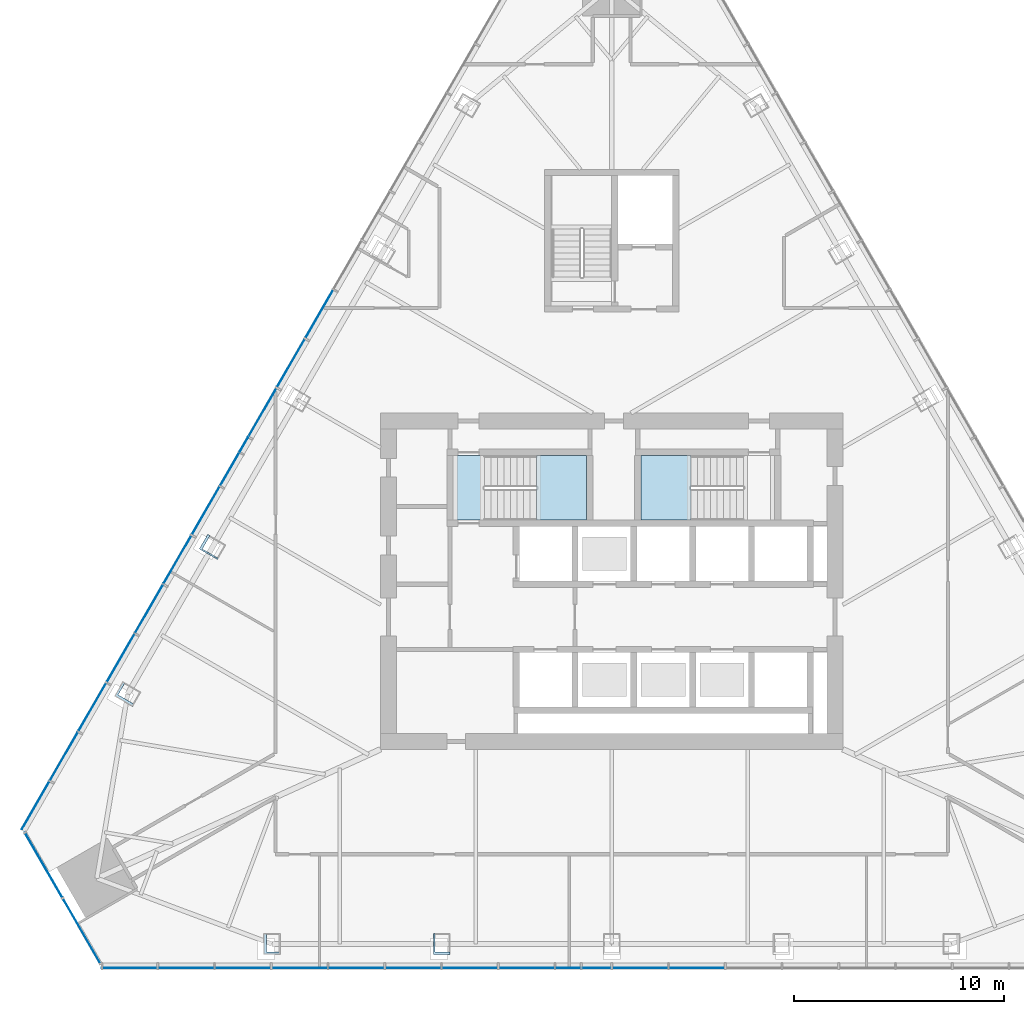
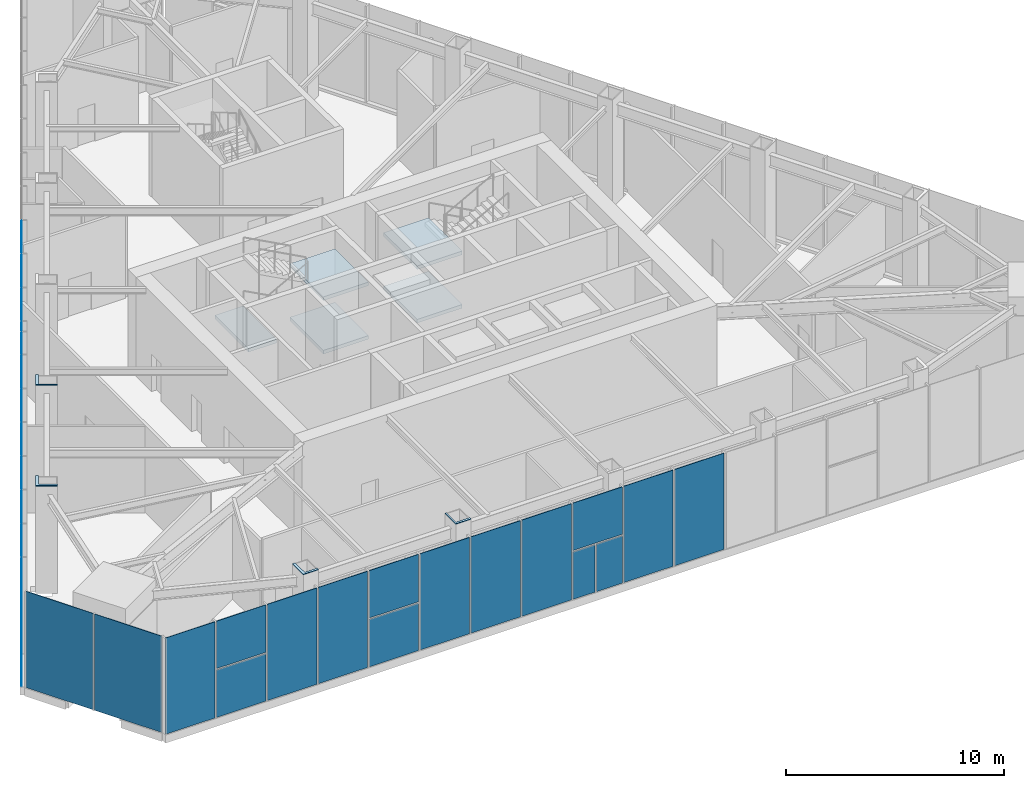
# One storey, part 8 of 16: 36 plates, 5 slabs, 5 elements without a shape of their own.
"""IFC4 building model written with IfcOpenShell, lengths in metres."""

from ifc_helpers import new_model, si_unit, direction, frame, origin, place, context, subcontext, project, spatial, polyline, outline, extrude, material, layer, layer_set, type_object, element, aggregate, save


model = new_model("IFC4")

# Units and contexts
model_context = context("Model", 3, precision=1e-05, world=origin(), true_north=direction((0.0, 1.0)))
body_context = subcontext(model_context, "Body", "Model", "MODEL_VIEW")
ifc_project = project(units=[si_unit("LENGTHUNIT", "METRE"), si_unit("AREAUNIT", "SQUARE_METRE"), si_unit("VOLUMEUNIT", "CUBIC_METRE"), si_unit("PLANEANGLEUNIT", "RADIAN"), si_unit("MASSUNIT", "GRAM", prefix="KILO")], contexts=[model_context])

# Site, building, storey
site_placement = place(None, origin())
site = spatial("IfcSite", under=ifc_project, at=site_placement, CompositionType="ELEMENT")
building_placement = place(site_placement, origin())
building = spatial("IfcBuilding", under=site, at=building_placement, Name="Firuza Gate Tower and Library", CompositionType="ELEMENT")
storey_placement = place(building_placement, frame((0.0, 0.0, 241.60009765625)))
storey = spatial("IfcBuildingStorey", under=building, at=storey_placement, Name="L57", CompositionType="ELEMENT", Elevation=241.60009765625)

# Plates
ifc_material_1 = material(Name="Steel S355", Category="steel")
ifc_layer_1 = layer(ifc_material_1, 0.030029296875)
ifc_layer_set_1 = layer_set([ifc_layer_1], Name="Column infill plate 30 Steel S355")
plate_type_1 = type_object("IfcPlateType", Name="Column infill plate 30 Steel S355", PredefinedType="SHEET", material=ifc_layer_set_1)
placement_1 = place(storey_placement, frame((0.0, 0.0, 6.0)))
element("IfcPlate", 1, at=placement_1, inside=storey, type_object=plate_type_1, Name="Infill plate L57:S1", PredefinedType="SHEET", context=body_context, shape_type="SweptSolid", body=[
    extrude(outline(polyline([(59.22509765625, 57.235107421875), (59.22509765625, 57.35791015625), (58.566650390625, 57.35791015625), (58.566650390625, 58.235107421875), (58.425048828125, 58.235107421875), (58.425048828125, 57.235107421875), (59.22509765625, 57.235107421875)])), origin(), (0.0, 0.0, 1.0), 0.02978515625),
])
element("IfcPlate", 2, at=placement_1, inside=storey, type_object=plate_type_1, Name="Infill plate L57:S2", PredefinedType="SHEET", context=body_context, shape_type="SweptSolid", body=[
    extrude(outline(polyline([(67.3125, 57.235107421875), (67.3125, 57.35791015625), (66.583251953125, 57.35791015625), (66.583251953125, 58.235107421875), (66.512451171875, 58.235107421875), (66.512451171875, 57.235107421875), (67.3125, 57.235107421875)])), origin(), (0.0, 0.0, 1.0), 0.02978515625),
])
element("IfcPlate", 3, at=placement_1, inside=storey, type_object=plate_type_1, Name="Infill plate L57:W4", PredefinedType="SHEET", context=body_context, shape_type="SweptSolid", body=[
    extrude(outline(polyline([(56.237548828125, 76.031982421875), (56.27294921875, 76.09326171875), (55.51318359375, 76.531982421875), (55.877685546875, 77.16357421875), (55.771484375, 77.224853515625), (55.37158203125, 76.531982421875), (56.237548828125, 76.031982421875)])), origin(), (0.0, 0.0, 1.0), 0.02978515625),
])
element("IfcPlate", 4, at=placement_1, inside=storey, type_object=plate_type_1, Name="Infill plate L57:W5", PredefinedType="SHEET", context=body_context, shape_type="SweptSolid", body=[
    extrude(outline(polyline([(52.19384765625, 69.028076171875), (52.2646484375, 69.150634765625), (51.504638671875, 69.58935546875), (51.833984375, 70.15966796875), (51.727783203125, 70.220947265625), (51.32763671875, 69.528076171875), (52.19384765625, 69.028076171875)])), origin(), (0.0, 0.0, 1.0), 0.02978515625),
])

# Curtain wall, plates
ifc_material_2 = material(Name="Aluminium 6063-T6", Category="aluminium")
ifc_layer_2 = layer(ifc_material_2, 0.14990234375)
ifc_layer_set_2 = layer_set([ifc_layer_2], Name="Corner curtain wall, chamfers")
curtain_wall_type_1 = type_object("IfcCurtainWallType", Name="Corner curtain wall, chamfers", PredefinedType="NOTDEFINED", material=ifc_layer_set_2)
placement_2 = place(storey_placement, origin())
curtain_wall_1 = element("IfcCurtainWall", 5, at=placement_2, inside=storey, type_object=curtain_wall_type_1, Name="CW4 L57 SW corner", PredefinedType="NOTDEFINED")
ifc_material_3 = material(Name="Fritted glass", Category="glass")
ifc_layer_3 = layer(ifc_material_3, 0.030029296875)
ifc_layer_set_3 = layer_set([ifc_layer_3], Name="Fritted glass unit, corners")
plate_type_2 = type_object("IfcPlateType", Name="Fritted glass unit, corners", PredefinedType="CURTAIN_PANEL", material=ifc_layer_set_3)
plate_5_placement = place(storey_placement, frame((47.05810546875, 63.0283203125, 0.14990234375), z_axis=(-0.866046390552, -0.49996364809, 0.0), x_axis=(0.49996364809, -0.866046390552, 0.0)))
plate_5 = element("IfcPlate", 6, at=plate_5_placement, type_object=plate_type_2, Name="Glass unit", PredefinedType="CURTAIN_PANEL", context=body_context, shape_type="SweptSolid", body=[
    extrude(outline(polyline([(0.0, 0.0), (3.563247342942594, 0.0), (3.563247342942594, 5.39990234375), (0.0, 5.39990234375), (0.0, 0.0)])), origin(), (0.0, 0.0, -1.0), 0.030029296875),
])
plate_6_placement = place(storey_placement, frame((48.879638671875, 59.873291015625, 0.14990234375), z_axis=(-0.866016723041, -0.500015035186, 0.0), x_axis=(0.500015035186, -0.866016723041, 0.0)))
plate_6 = element("IfcPlate", 7, at=plate_6_placement, type_object=plate_type_2, Name="Glass unit", PredefinedType="CURTAIN_PANEL", context=body_context, shape_type="SweptSolid", body=[
    extrude(outline(polyline([(0.0, 0.0), (3.5633694106530625, 0.0), (3.5633694106530625, 5.39990234375), (0.0, 5.39990234375), (0.0, 0.0)])), origin(), (0.0, 0.0, -1.0), 0.030029296875),
])
aggregate(curtain_wall_1, [plate_5, plate_6])

ifc_material_4 = material(Name="Aluminium 6063-T6", Category="aluminium")
ifc_layer_4 = layer(ifc_material_4, 0.14990234375)
ifc_layer_set_4 = layer_set([ifc_layer_4], Name="Unitised curtain wall, hotel")
curtain_wall_type_2 = type_object("IfcCurtainWallType", Name="Unitised curtain wall, hotel", PredefinedType="NOTDEFINED", material=ifc_layer_set_4)
curtain_wall_2 = element("IfcCurtainWall", 8, at=placement_2, inside=storey, type_object=curtain_wall_type_2, Name="CW2 L57 S face", PredefinedType="NOTDEFINED")
ifc_material_5 = material(Name="Fritted glass", Category="glass")
ifc_layer_5 = layer(ifc_material_5, 0.030029296875)
ifc_layer_set_5 = layer_set([ifc_layer_5], Name="Fritted glass unit, hotel")
plate_type_3 = type_object("IfcPlateType", Name="Fritted glass unit, hotel", PredefinedType="CURTAIN_PANEL", material=ifc_layer_set_5)
plate_7_placement = place(storey_placement, frame((53.434814453125, 56.5751953125, 2.889892578125), z_axis=(0.0, -1.0, 0.0), x_axis=(1.0, 0.0, 0.0)))
plate_7 = element("IfcPlate", 9, at=plate_7_placement, type_object=plate_type_3, Name="Glass unit", PredefinedType="CURTAIN_PANEL", context=body_context, shape_type="SweptSolid", body=[
    extrude(outline(polyline([(0.0, 0.0), (2.620849609375, 0.0), (2.620849609375, 2.659912109375), (0.0, 2.659912109375), (0.0, 0.0)])), origin(), (0.0, 0.0, -1.0), 0.030029296875),
])
plate_8_placement = place(storey_placement, frame((61.536865234375, 56.5751953125, 2.889892578125), z_axis=(0.0, -1.0, 0.0), x_axis=(1.0, 0.0, 0.0)))
plate_8 = element("IfcPlate", 10, at=plate_8_placement, type_object=plate_type_3, Name="Glass unit", PredefinedType="CURTAIN_PANEL", context=body_context, shape_type="SweptSolid", body=[
    extrude(outline(polyline([(0.0, 0.0), (2.62060546875, 0.0), (2.62060546875, 2.659912109375), (0.0, 2.659912109375), (0.0, 0.0)])), origin(), (0.0, 0.0, -1.0), 0.030029296875),
])
plate_9_placement = place(storey_placement, frame((73.591064453125, 56.5751953125, 0.14990234375), z_axis=(0.0, -1.0, 0.0), x_axis=(1.0, 0.0, 0.0)))
plate_9 = element("IfcPlate", 11, at=plate_9_placement, type_object=plate_type_3, Name="Glass unit", PredefinedType="CURTAIN_PANEL", context=body_context, shape_type="SweptSolid", body=[
    extrude(outline(polyline([(0.0, 0.0), (1.368896484375, 0.0), (1.368896484375, 2.659912109375), (0.0, 2.659912109375), (0.0, 0.0)])), origin(), (0.0, 0.0, -1.0), 0.030029296875),
])

curtain_wall_3 = element("IfcCurtainWall", 12, at=placement_2, inside=storey, type_object=curtain_wall_type_2, Name="CW2 L57 W face", PredefinedType="NOTDEFINED")
plate_10_placement = place(storey_placement, frame((57.251708984375, 81.10888671875, 2.889892578125), z_axis=(-0.866071239721, 0.499920601425, 0.0), x_axis=(-0.499920601425, -0.866071239721, 0.0)))
plate_10 = element("IfcPlate", 13, at=plate_10_placement, type_object=plate_type_3, Name="Glass unit", PredefinedType="CURTAIN_PANEL", context=body_context, shape_type="SweptSolid", body=[
    extrude(outline(polyline([(0.0, 0.0), (1.777626031949212, 0.0), (1.777626031949212, 2.659912109375), (0.0, 2.659912109375), (0.0, 0.0)])), origin(), (0.0, 0.0, -1.0), 0.030029296875),
])
plate_11_placement = place(storey_placement, frame((53.622314453125, 74.822509765625, 2.889892578125), z_axis=(-0.866027344229, 0.499996639036, 0.0), x_axis=(-0.499996639036, -0.866027344229, 0.0)))
plate_11 = element("IfcPlate", 14, at=plate_11_placement, type_object=plate_type_3, Name="Glass unit", PredefinedType="CURTAIN_PANEL", context=body_context, shape_type="SweptSolid", body=[
    extrude(outline(polyline([(0.0, 0.0), (2.6206230843898872, 0.0), (2.6206230843898872, 2.659912109375), (0.0, 2.659912109375), (0.0, 0.0)])), origin(), (0.0, 0.0, -1.0), 0.030029296875),
])
plate_12_placement = place(storey_placement, frame((49.5712890625, 67.80615234375, 2.889892578125), z_axis=(-0.866027344229, 0.499996639036, 0.0), x_axis=(-0.499996639036, -0.866027344229, 0.0)))
plate_12 = element("IfcPlate", 15, at=plate_12_placement, type_object=plate_type_3, Name="Glass unit", PredefinedType="CURTAIN_PANEL", context=body_context, shape_type="SweptSolid", body=[
    extrude(outline(polyline([(0.0, 0.0), (2.6206230843898872, 0.0), (2.6206230843898872, 2.659912109375), (0.0, 2.659912109375), (0.0, 0.0)])), origin(), (0.0, 0.0, -1.0), 0.030029296875),
])

# Plate
ifc_material_6 = material(Name="Glazed ceramic tile")
ifc_layer_6 = layer(ifc_material_6, 0.030029296875)
ifc_layer_set_6 = layer_set([ifc_layer_6], Name="Opaque ceramic panel, hotel")
plate_type_4 = type_object("IfcPlateType", Name="Opaque ceramic panel, hotel", PredefinedType="CURTAIN_PANEL", material=ifc_layer_set_6)
plate_13_placement = place(storey_placement, frame((50.734375, 56.5751953125, 0.14990234375), z_axis=(0.0, -1.0, 0.0), x_axis=(1.0, 0.0, 0.0)))
plate_13 = element("IfcPlate", 16, at=plate_13_placement, type_object=plate_type_4, Name="Opaque ceramic panel", PredefinedType="CURTAIN_PANEL", context=body_context, shape_type="SweptSolid", body=[
    extrude(outline(polyline([(0.0, 0.0), (2.62060546875, 0.0), (2.62060546875, 5.39990234375), (0.0, 5.39990234375), (0.0, 0.0)])), origin(), (0.0, 0.0, -1.0), 0.030029296875),
])

plate_14_placement = place(storey_placement, frame((53.434814453125, 56.5751953125, 0.14990234375), z_axis=(0.0, -1.0, 0.0), x_axis=(1.0, 0.0, 0.0)))
plate_14 = element("IfcPlate", 17, at=plate_14_placement, type_object=plate_type_4, Name="Opaque ceramic panel", PredefinedType="CURTAIN_PANEL", context=body_context, shape_type="SweptSolid", body=[
    extrude(outline(polyline([(0.0, 0.0), (2.620849609375, 0.0), (2.620849609375, 2.659912109375), (0.0, 2.659912109375), (0.0, 0.0)])), origin(), (0.0, 0.0, -1.0), 0.030029296875),
])

plate_15_placement = place(storey_placement, frame((56.135498046875, 56.5751953125, 0.14990234375), z_axis=(0.0, -1.0, 0.0), x_axis=(1.0, 0.0, 0.0)))
plate_15 = element("IfcPlate", 18, at=plate_15_placement, type_object=plate_type_4, Name="Opaque ceramic panel", PredefinedType="CURTAIN_PANEL", context=body_context, shape_type="SweptSolid", body=[
    extrude(outline(polyline([(0.0, 0.0), (2.62060546875, 0.0), (2.62060546875, 5.39990234375), (0.0, 5.39990234375), (0.0, 0.0)])), origin(), (0.0, 0.0, -1.0), 0.030029296875),
])

plate_16_placement = place(storey_placement, frame((58.836181640625, 56.5751953125, 0.14990234375), z_axis=(0.0, -1.0, 0.0), x_axis=(1.0, 0.0, 0.0)))
plate_16 = element("IfcPlate", 19, at=plate_16_placement, type_object=plate_type_4, Name="Opaque ceramic panel", PredefinedType="CURTAIN_PANEL", context=body_context, shape_type="SweptSolid", body=[
    extrude(outline(polyline([(0.0, 0.0), (2.62060546875, 0.0), (2.62060546875, 5.39990234375), (0.0, 5.39990234375), (0.0, 0.0)])), origin(), (0.0, 0.0, -1.0), 0.030029296875),
])

plate_17_placement = place(storey_placement, frame((61.536865234375, 56.5751953125, 0.14990234375), z_axis=(0.0, -1.0, 0.0), x_axis=(1.0, 0.0, 0.0)))
plate_17 = element("IfcPlate", 20, at=plate_17_placement, type_object=plate_type_4, Name="Opaque ceramic panel", PredefinedType="CURTAIN_PANEL", context=body_context, shape_type="SweptSolid", body=[
    extrude(outline(polyline([(0.0, 0.0), (2.62060546875, 0.0), (2.62060546875, 2.659912109375), (0.0, 2.659912109375), (0.0, 0.0)])), origin(), (0.0, 0.0, -1.0), 0.030029296875),
])

plate_18_placement = place(storey_placement, frame((64.237548828125, 56.5751953125, 0.14990234375), z_axis=(0.0, -1.0, 0.0), x_axis=(1.0, 0.0, 0.0)))
plate_18 = element("IfcPlate", 21, at=plate_18_placement, type_object=plate_type_4, Name="Opaque ceramic panel", PredefinedType="CURTAIN_PANEL", context=body_context, shape_type="SweptSolid", body=[
    extrude(outline(polyline([(0.0, 0.0), (2.62060546875, 0.0), (2.62060546875, 5.39990234375), (0.0, 5.39990234375), (0.0, 0.0)])), origin(), (0.0, 0.0, -1.0), 0.030029296875),
])

plate_19_placement = place(storey_placement, frame((66.93798828125, 56.5751953125, 0.14990234375), z_axis=(0.0, -1.0, 0.0), x_axis=(1.0, 0.0, 0.0)))
plate_19 = element("IfcPlate", 22, at=plate_19_placement, type_object=plate_type_4, Name="Opaque ceramic panel", PredefinedType="CURTAIN_PANEL", context=body_context, shape_type="SweptSolid", body=[
    extrude(outline(polyline([(0.0, 0.0), (2.620849609375, 0.0), (2.620849609375, 5.39990234375), (0.0, 5.39990234375), (0.0, 0.0)])), origin(), (0.0, 0.0, -1.0), 0.030029296875),
])

plate_20_placement = place(storey_placement, frame((69.638671875, 56.5751953125, 0.14990234375), z_axis=(0.0, -1.0, 0.0), x_axis=(1.0, 0.0, 0.0)))
plate_20 = element("IfcPlate", 23, at=plate_20_placement, type_object=plate_type_4, Name="Opaque ceramic panel", PredefinedType="CURTAIN_PANEL", context=body_context, shape_type="SweptSolid", body=[
    extrude(outline(polyline([(0.0, 0.0), (2.62060546875, 0.0), (2.62060546875, 5.39990234375), (0.0, 5.39990234375), (0.0, 0.0)])), origin(), (0.0, 0.0, -1.0), 0.030029296875),
])

plate_21_placement = place(storey_placement, frame((72.33935546875, 56.5751953125, 0.14990234375), z_axis=(0.0, -1.0, 0.0), x_axis=(1.0, 0.0, 0.0)))
plate_21 = element("IfcPlate", 24, at=plate_21_placement, type_object=plate_type_4, Name="Opaque ceramic panel", PredefinedType="CURTAIN_PANEL", context=body_context, shape_type="SweptSolid", body=[
    extrude(outline(polyline([(0.0, 0.0), (1.171630859375, 0.0), (1.171630859375, 2.659912109375), (0.0, 2.659912109375), (0.0, 0.0)])), origin(), (0.0, 0.0, -1.0), 0.030029296875),
])

plate_22_placement = place(storey_placement, frame((72.33935546875, 56.5751953125, 2.889892578125), z_axis=(0.0, -1.0, 0.0), x_axis=(1.0, 0.0, 0.0)))
plate_22 = element("IfcPlate", 25, at=plate_22_placement, type_object=plate_type_4, Name="Opaque ceramic panel", PredefinedType="CURTAIN_PANEL", context=body_context, shape_type="SweptSolid", body=[
    extrude(outline(polyline([(0.0, 0.0), (2.62060546875, 0.0), (2.62060546875, 2.659912109375), (0.0, 2.659912109375), (0.0, 0.0)])), origin(), (0.0, 0.0, -1.0), 0.030029296875),
])

plate_23_placement = place(storey_placement, frame((75.0400390625, 56.5751953125, 0.14990234375), z_axis=(0.0, -1.0, 0.0), x_axis=(1.0, 0.0, 0.0)))
plate_23 = element("IfcPlate", 26, at=plate_23_placement, type_object=plate_type_4, Name="Opaque ceramic panel", PredefinedType="CURTAIN_PANEL", context=body_context, shape_type="SweptSolid", body=[
    extrude(outline(polyline([(0.0, 0.0), (2.62060546875, 0.0), (2.62060546875, 5.39990234375), (0.0, 5.39990234375), (0.0, 0.0)])), origin(), (0.0, 0.0, -1.0), 0.030029296875),
])

plate_24_placement = place(storey_placement, frame((77.74072265625, 56.5751953125, 0.14990234375), z_axis=(0.0, -1.0, 0.0), x_axis=(1.0, 0.0, 0.0)))
plate_24 = element("IfcPlate", 27, at=plate_24_placement, type_object=plate_type_4, Name="Opaque ceramic panel", PredefinedType="CURTAIN_PANEL", context=body_context, shape_type="SweptSolid", body=[
    extrude(outline(polyline([(0.0, 0.0), (2.62060546875, 0.0), (2.62060546875, 5.39990234375), (0.0, 5.39990234375), (0.0, 0.0)])), origin(), (0.0, 0.0, -1.0), 0.030029296875),
])

aggregate(curtain_wall_2, [plate_13, plate_14, plate_7, plate_15, plate_16, plate_17, plate_8, plate_18, plate_19, plate_20, plate_21, plate_9, plate_22, plate_23, plate_24])

plate_25_placement = place(storey_placement, frame((61.724365234375, 88.85546875, 0.14990234375), z_axis=(-0.866027344229, 0.499996639036, 0.0), x_axis=(-0.499996639036, -0.866027344229, 0.0)))
plate_25 = element("IfcPlate", 28, at=plate_25_placement, type_object=plate_type_4, Name="Opaque ceramic panel", PredefinedType="CURTAIN_PANEL", context=body_context, shape_type="SweptSolid", body=[
    extrude(outline(polyline([(0.0, 0.0), (2.6206230843898872, 0.0), (2.6206230843898872, 5.39990234375), (0.0, 5.39990234375), (0.0, 0.0)])), origin(), (0.0, 0.0, -1.0), 0.030029296875),
])

plate_26_placement = place(storey_placement, frame((60.3740234375, 86.5166015625, 0.14990234375), z_axis=(-0.866027344229, 0.499996639036, 0.0), x_axis=(-0.499996639036, -0.866027344229, 0.0)))
plate_26 = element("IfcPlate", 29, at=plate_26_placement, type_object=plate_type_4, Name="Opaque ceramic panel", PredefinedType="CURTAIN_PANEL", context=body_context, shape_type="SweptSolid", body=[
    extrude(outline(polyline([(0.0, 0.0), (2.6206230843898872, 0.0), (2.6206230843898872, 5.39990234375), (0.0, 5.39990234375), (0.0, 0.0)])), origin(), (0.0, 0.0, -1.0), 0.030029296875),
])

plate_27_placement = place(storey_placement, frame((59.023681640625, 84.177734375, 0.14990234375), z_axis=(-0.866027344229, 0.499996639036, 0.0), x_axis=(-0.499996639036, -0.866027344229, 0.0)))
plate_27 = element("IfcPlate", 30, at=plate_27_placement, type_object=plate_type_4, Name="Opaque ceramic panel", PredefinedType="CURTAIN_PANEL", context=body_context, shape_type="SweptSolid", body=[
    extrude(outline(polyline([(0.0, 0.0), (2.6206230843898872, 0.0), (2.6206230843898872, 5.39990234375), (0.0, 5.39990234375), (0.0, 0.0)])), origin(), (0.0, 0.0, -1.0), 0.030029296875),
])

plate_28_placement = place(storey_placement, frame((57.67333984375, 81.8388671875, 0.14990234375), z_axis=(-0.866027344229, 0.499996639036, 0.0), x_axis=(-0.499996639036, -0.866027344229, 0.0)))
plate_28 = element("IfcPlate", 31, at=plate_28_placement, type_object=plate_type_4, Name="Opaque ceramic panel", PredefinedType="CURTAIN_PANEL", context=body_context, shape_type="SweptSolid", body=[
    extrude(outline(polyline([(0.0, 0.0), (2.6206230843898872, 0.0), (2.6206230843898872, 2.659912109375), (0.0, 2.659912109375), (0.0, 0.0)])), origin(), (0.0, 0.0, -1.0), 0.030029296875),
])

plate_29_placement = place(storey_placement, frame((57.67333984375, 81.8388671875, 2.889892578125), z_axis=(-0.865929753888, 0.500165633897, 0.0), x_axis=(-0.500165633897, -0.865929753888, 0.0)))
plate_29 = element("IfcPlate", 32, at=plate_29_placement, type_object=plate_type_4, Name="Opaque ceramic panel", PredefinedType="CURTAIN_PANEL", context=body_context, shape_type="SweptSolid", body=[
    extrude(outline(polyline([(0.0, 0.0), (0.7629308593265995, 0.0), (0.7629308593265995, 2.659912109375), (0.0, 2.659912109375), (0.0, 0.0)])), origin(), (0.0, 0.0, -1.0), 0.030029296875),
])

plate_30_placement = place(storey_placement, frame((56.322998046875, 79.500244140625, 0.14990234375), z_axis=(-0.866027344229, 0.499996639036, 0.0), x_axis=(-0.499996639036, -0.866027344229, 0.0)))
plate_30 = element("IfcPlate", 33, at=plate_30_placement, type_object=plate_type_4, Name="Opaque ceramic panel", PredefinedType="CURTAIN_PANEL", context=body_context, shape_type="SweptSolid", body=[
    extrude(outline(polyline([(0.0, 0.0), (2.6206230843898872, 0.0), (2.6206230843898872, 5.39990234375), (0.0, 5.39990234375), (0.0, 0.0)])), origin(), (0.0, 0.0, -1.0), 0.030029296875),
])

plate_31_placement = place(storey_placement, frame((54.97265625, 77.161376953125, 0.14990234375), z_axis=(-0.866027344229, 0.499996639036, 0.0), x_axis=(-0.499996639036, -0.866027344229, 0.0)))
plate_31 = element("IfcPlate", 34, at=plate_31_placement, type_object=plate_type_4, Name="Opaque ceramic panel", PredefinedType="CURTAIN_PANEL", context=body_context, shape_type="SweptSolid", body=[
    extrude(outline(polyline([(0.0, 0.0), (2.6206230843898872, 0.0), (2.6206230843898872, 5.39990234375), (0.0, 5.39990234375), (0.0, 0.0)])), origin(), (0.0, 0.0, -1.0), 0.030029296875),
])

plate_32_placement = place(storey_placement, frame((53.622314453125, 74.822509765625, 0.14990234375), z_axis=(-0.866027344229, 0.499996639036, 0.0), x_axis=(-0.499996639036, -0.866027344229, 0.0)))
plate_32 = element("IfcPlate", 35, at=plate_32_placement, type_object=plate_type_4, Name="Opaque ceramic panel", PredefinedType="CURTAIN_PANEL", context=body_context, shape_type="SweptSolid", body=[
    extrude(outline(polyline([(0.0, 0.0), (2.6206230843898872, 0.0), (2.6206230843898872, 2.659912109375), (0.0, 2.659912109375), (0.0, 0.0)])), origin(), (0.0, 0.0, -1.0), 0.030029296875),
])

plate_33_placement = place(storey_placement, frame((52.27197265625, 72.483642578125, 0.14990234375), z_axis=(-0.866027344229, 0.499996639036, 0.0), x_axis=(-0.499996639036, -0.866027344229, 0.0)))
plate_33 = element("IfcPlate", 36, at=plate_33_placement, type_object=plate_type_4, Name="Opaque ceramic panel", PredefinedType="CURTAIN_PANEL", context=body_context, shape_type="SweptSolid", body=[
    extrude(outline(polyline([(0.0, 0.0), (2.6206230843898872, 0.0), (2.6206230843898872, 5.39990234375), (0.0, 5.39990234375), (0.0, 0.0)])), origin(), (0.0, 0.0, -1.0), 0.030029296875),
])

plate_34_placement = place(storey_placement, frame((50.921630859375, 70.144775390625, 0.14990234375), z_axis=(-0.866027344229, 0.499996639036, 0.0), x_axis=(-0.499996639036, -0.866027344229, 0.0)))
plate_34 = element("IfcPlate", 37, at=plate_34_placement, type_object=plate_type_4, Name="Opaque ceramic panel", PredefinedType="CURTAIN_PANEL", context=body_context, shape_type="SweptSolid", body=[
    extrude(outline(polyline([(0.0, 0.0), (2.6206230843898872, 0.0), (2.6206230843898872, 5.39990234375), (0.0, 5.39990234375), (0.0, 0.0)])), origin(), (0.0, 0.0, -1.0), 0.030029296875),
])

plate_35_placement = place(storey_placement, frame((49.5712890625, 67.80615234375, 0.14990234375), z_axis=(-0.866027344229, 0.499996639036, 0.0), x_axis=(-0.499996639036, -0.866027344229, 0.0)))
plate_35 = element("IfcPlate", 38, at=plate_35_placement, type_object=plate_type_4, Name="Opaque ceramic panel", PredefinedType="CURTAIN_PANEL", context=body_context, shape_type="SweptSolid", body=[
    extrude(outline(polyline([(0.0, 0.0), (2.6206230843898872, 0.0), (2.6206230843898872, 2.659912109375), (0.0, 2.659912109375), (0.0, 0.0)])), origin(), (0.0, 0.0, -1.0), 0.030029296875),
])

plate_36_placement = place(storey_placement, frame((48.22119140625, 65.46728515625, 0.14990234375), z_axis=(-0.865987003449, 0.500066505434, 0.0), x_axis=(-0.500066505434, -0.865987003449, 0.0)))
plate_36 = element("IfcPlate", 39, at=plate_36_placement, type_object=plate_type_4, Name="Opaque ceramic panel", PredefinedType="CURTAIN_PANEL", context=body_context, shape_type="SweptSolid", body=[
    extrude(outline(polyline([(0.0, 0.0), (2.620745162410651, 0.0), (2.620745162410651, 5.39990234375), (0.0, 5.39990234375), (0.0, 0.0)])), origin(), (0.0, 0.0, -1.0), 0.030029296875),
])

aggregate(curtain_wall_3, [plate_25, plate_26, plate_27, plate_28, plate_29, plate_10, plate_30, plate_31, plate_32, plate_11, plate_33, plate_34, plate_35, plate_12, plate_36])

# Stair, slabs
ifc_material_7 = material(Name="Concrete C35/45", Category="concrete")
stair_type = type_object("IfcStairType", Name="Exit stair ST6", PredefinedType="HALF_TURN_STAIR", material=ifc_material_7)
stair_1 = element("IfcStair", 40, at=placement_2, inside=storey, type_object=stair_type, Name="L57 Stair ST1", PredefinedType="HALF_TURN_STAIR")
ifc_material_8 = material(Name="Concrete C35/45", Category="concrete")
ifc_layer_7 = layer(ifc_material_8, 0.199951171875)
ifc_layer_set_7 = layer_set([ifc_layer_7], Name="Stair landing 200")
slab_type = type_object("IfcSlabType", Name="Stair landing 200", PredefinedType="LANDING", material=ifc_layer_set_7)
placement_3 = place(storey_placement, frame((0.0, 0.0, 1.2998046875)))
slab_1 = element("IfcSlab", 41, at=placement_3, type_object=slab_type, Name="ST1 landing 1", PredefinedType="LANDING", context=body_context, shape_type="SweptSolid", body=[
    extrude(outline(polyline([(71.419921875, 77.89990234375), (73.81005859375, 77.89990234375), (73.81005859375, 80.97998046875), (71.419921875, 80.97998046875), (71.419921875, 77.89990234375)])), origin(), (0.0, 0.0, 1.0), 0.2001953125),
])
slab_2_placement = place(storey_placement, frame((0.0, 0.0, 2.7998046875)))
slab_2 = element("IfcSlab", 42, at=slab_2_placement, type_object=slab_type, Name="ST1 landing 2", PredefinedType="LANDING", context=body_context, shape_type="SweptSolid", body=[
    extrude(outline(polyline([(67.449951171875, 77.89990234375), (68.93994140625, 77.89990234375), (68.93994140625, 80.97998046875), (67.449951171875, 80.97998046875), (67.449951171875, 77.89990234375)])), origin(), (0.0, 0.0, 1.0), 0.2001953125),
])
placement_4 = place(storey_placement, frame((0.0, 0.0, 4.2998046875)))
slab_3 = element("IfcSlab", 43, at=placement_4, type_object=slab_type, Name="ST1 landing 3", PredefinedType="LANDING", context=body_context, shape_type="SweptSolid", body=[
    extrude(outline(polyline([(71.419921875, 77.89990234375), (73.81005859375, 77.89990234375), (73.81005859375, 80.97998046875), (71.419921875, 80.97998046875), (71.419921875, 77.89990234375)])), origin(), (0.0, 0.0, 1.0), 0.2001953125),
])
aggregate(stair_1, [slab_1, slab_2, slab_3])

stair_2 = element("IfcStair", 44, at=placement_2, inside=storey, type_object=stair_type, Name="L57 Stair ST2", PredefinedType="HALF_TURN_STAIR")
slab_4 = element("IfcSlab", 45, at=placement_3, type_object=slab_type, Name="ST2 landing 1", PredefinedType="LANDING", context=body_context, shape_type="SweptSolid", body=[
    extrude(outline(polyline([(78.780029296875, 80.97998046875), (76.389892578125, 80.97998046875), (76.389892578125, 77.89990234375), (78.780029296875, 77.89990234375), (78.780029296875, 80.97998046875)])), origin(), (0.0, 0.0, 1.0), 0.2001953125),
])
slab_5 = element("IfcSlab", 46, at=placement_4, type_object=slab_type, Name="ST2 landing 3", PredefinedType="LANDING", context=body_context, shape_type="SweptSolid", body=[
    extrude(outline(polyline([(78.780029296875, 80.97998046875), (76.389892578125, 80.97998046875), (76.389892578125, 77.89990234375), (78.780029296875, 77.89990234375), (78.780029296875, 80.97998046875)])), origin(), (0.0, 0.0, 1.0), 0.2001953125),
])
aggregate(stair_2, [slab_4, slab_5])

save(model, "model.ifc")
